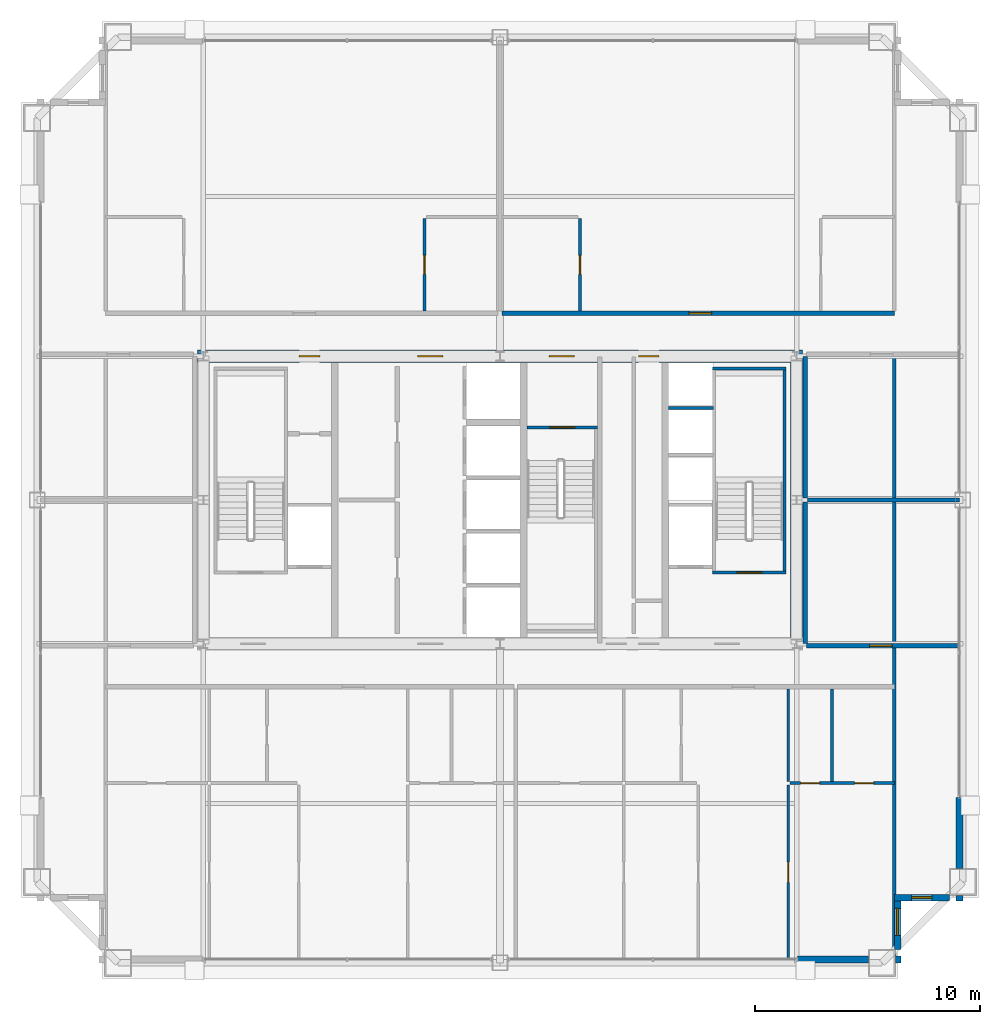
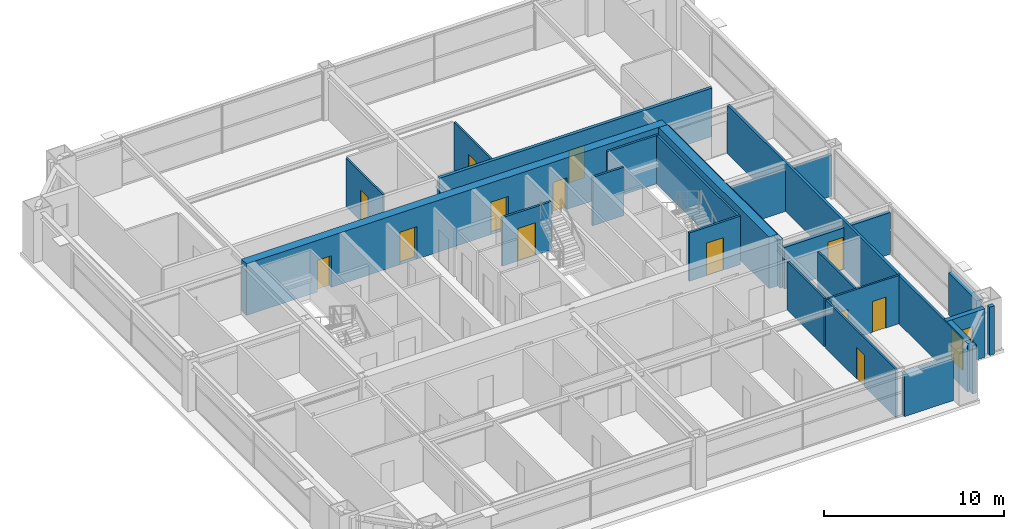
# One storey, part 34 of 36: 25 walls, 13 doors, 2 windows, 15 openings.
"""IFC4 building model written with IfcOpenShell, lengths in metres."""

from ifc_helpers import new_model, si_unit, direction, frame, frame_2d, origin, place, context, subcontext, project, spatial, rectangle, extrude, source, transform, mapped, material, layer, layer_set, type_object, element, fill, save


model = new_model("IFC4")

# Units and contexts
model_context = context("Model", 3, precision=1e-05, world=origin(), true_north=direction((0.0, 1.0)))
body_context = subcontext(model_context, "Body", "Model", "MODEL_VIEW")
ifc_project = project(units=[si_unit("LENGTHUNIT", "METRE"), si_unit("AREAUNIT", "SQUARE_METRE"), si_unit("VOLUMEUNIT", "CUBIC_METRE"), si_unit("PLANEANGLEUNIT", "RADIAN"), si_unit("MASSUNIT", "GRAM", prefix="KILO"), si_unit("THERMODYNAMICTEMPERATUREUNIT", "KELVIN"), si_unit("POWERUNIT", "WATT")], contexts=[model_context])

# Site, building, storey
site_placement = place(None, origin())
site = spatial("IfcSite", under=ifc_project, at=site_placement, CompositionType="ELEMENT")
building_placement = place(site_placement, origin())
building = spatial("IfcBuilding", under=site, at=building_placement, Name="Yuzanri Waterfront Tower", CompositionType="ELEMENT")
storey_placement = place(building_placement, frame((0.0, 0.0, 231.10009765625)))
storey = spatial("IfcBuildingStorey", under=building, at=storey_placement, Name="L61", CompositionType="ELEMENT", Elevation=231.10009765625)

# Wall, openings, doors
ifc_material_1 = material(Name="Moisture-Resistant Gypsum Stud Wall", Category="gypsum")
ifc_layer_1 = layer(ifc_material_1, 0.1201171875)
ifc_layer_set_1 = layer_set([ifc_layer_1], Name="Moisture-Resistant Gypsum Stud Wall")
wall_type_1 = type_object("IfcWallType", Name="Bathroom and Kitchen Wet Partition 120", PredefinedType="PARTITIONING", material=ifc_layer_set_1)
wall_1_placement = place(storey_placement, frame((49.9130859375, 13.199951171875, 0.0), z_axis=(0.0, 0.0, 1.0), x_axis=(1.0, 0.0, 0.0)))
wall_1 = element("IfcWall", 1, at=wall_1_placement, inside=storey, type_object=wall_type_1, Name="L61 Partition UW-L61-RS2-SUB-6-N", PredefinedType="PARTITIONING", context=body_context, shape_type="SweptSolid", body=[
    extrude(rectangle(XDim=4.64697265625, YDim=0.1201171875, at=frame_2d((2.323486328125, 0.0))), origin(), (0.0, 0.0, 1.0), 3.27978515625),
])
opening_1_placement = place(wall_1_placement, frame((2.8720703125, 0.0, 0.0)))
opening_1 = element("IfcOpeningElement", 2, at=opening_1_placement, cuts=wall_1, Name="Opening ID-0850", PredefinedType="OPENING", context=body_context, shape_type="SweptSolid", body=[
    extrude(rectangle(XDim=0.85009765625, YDim=2.10009765625, at=frame_2d((0.425048828125, 1.050048828125))), frame((0.0, 0.074951171875, 0.0), z_axis=(0.0, -1.0, 0.0), x_axis=(1.0, 0.0, 0.0)), (0.0, 0.0, 1.0), 0.14990234375),
])
opening_2_placement = place(wall_1_placement, frame((0.468505859375, 0.0, 0.0)))
opening_2 = element("IfcOpeningElement", 3, at=opening_2_placement, cuts=wall_1, Name="Opening ID-0850", PredefinedType="OPENING", context=body_context, shape_type="SweptSolid", body=[
    extrude(rectangle(XDim=0.85009765625, YDim=2.10009765625, at=frame_2d((0.425048828125, 1.050048828125))), frame((0.0, 0.074951171875, 0.0), z_axis=(0.0, -1.0, 0.0), x_axis=(1.0, 0.0, 0.0)), (0.0, 0.0, 1.0), 0.14990234375),
])
ifc_material_2 = material(Name="Moisture-Resistant Lacquered Timber", Category="wood")
door_type_1 = type_object("IfcDoorType", Name="En-Suite Bathroom and Kitchen Swing Door 850x2100", OperationType="NOTDEFINED", PredefinedType="DOOR", material=ifc_material_2)
shared_shape_1 = source(origin(), body_context, "Body", "SweptSolid", [
    extrude(rectangle(XDim=0.85009765625, YDim=2.10009765625, at=frame_2d((0.425048828125, 1.050048828125))), frame((0.0, 0.02490234375, 0.0), z_axis=(0.0, -1.0, 0.0), x_axis=(1.0, 0.0, 0.0)), (0.0, 0.0, 1.0), 0.050048828125),
])
door_1_placement = place(opening_1_placement, origin())
door_1 = element("IfcDoor", 4, at=door_1_placement, inside=storey, type_object=door_type_1, Name="L61 Suite Interior Room Door", OperationType="SINGLE_SWING_LEFT", OverallHeight=2.10009765625, OverallWidth=0.85009765625, PredefinedType="DOOR", context=body_context, shape_type="MappedRepresentation", body=[
    mapped(shared_shape_1, transform((0.0, 0.0, 0.0), scale=1.0)),
])
fill(opening_1, door_1)
door_2_placement = place(opening_2_placement, origin())
door_2 = element("IfcDoor", 5, at=door_2_placement, inside=storey, type_object=door_type_1, Name="L61 Suite Interior Room Door", OperationType="SINGLE_SWING_RIGHT", OverallHeight=2.10009765625, OverallWidth=0.85009765625, PredefinedType="DOOR", context=body_context, shape_type="MappedRepresentation", body=[
    mapped(shared_shape_1, transform((0.0, 0.0, 0.0), scale=1.0)),
])
fill(opening_2, door_2)

# Wall, opening, door
wall_2_placement = place(storey_placement, frame((49.8330078125, 5.35009765625, 0.0), z_axis=(0.0, 0.0, 1.0), x_axis=(0.0, 1.0, 0.0)))
wall_2 = element("IfcWall", 6, at=wall_2_placement, inside=storey, type_object=wall_type_1, Name="L61 Partition UW-L61-RS2-SUB-6-W", PredefinedType="PARTITIONING", context=body_context, shape_type="SweptSolid", body=[
    extrude(rectangle(XDim=7.77001953125, YDim=0.1201171875, at=frame_2d((3.885009765625, 0.0))), origin(), (0.0, 0.0, 1.0), 3.27978515625),
])
opening_3_placement = place(wall_2_placement, frame((3.43505859375, 0.0, 0.0)))
opening_3 = element("IfcOpeningElement", 7, at=opening_3_placement, cuts=wall_2, Name="Opening ID-0900", PredefinedType="OPENING", context=body_context, shape_type="SweptSolid", body=[
    extrude(rectangle(XDim=0.89990234375, YDim=2.14990234375, at=frame_2d((0.449951171875, 1.074951171875))), frame((0.0, 0.074951171875, 0.0), z_axis=(0.0, -1.0, 0.0), x_axis=(1.0, 0.0, 0.0)), (0.0, 0.0, 1.0), 0.14990234375),
])
ifc_material_3 = material(Name="Stained Walnut Veneer Timber", Category="wood")
door_type_2 = type_object("IfcDoorType", Name="Bedroom and Study Interior Swing Door 900x2150", OperationType="NOTDEFINED", PredefinedType="DOOR", material=ifc_material_3)
shared_shape_2 = source(origin(), body_context, "Body", "SweptSolid", [
    extrude(rectangle(XDim=0.89990234375, YDim=2.14990234375, at=frame_2d((0.449951171875, 1.074951171875))), frame((0.0, 0.02490234375, 0.0), z_axis=(0.0, -1.0, 0.0), x_axis=(1.0, 0.0, 0.0)), (0.0, 0.0, 1.0), 0.050048828125),
])
door_3_placement = place(opening_3_placement, origin())
door_3 = element("IfcDoor", 8, at=door_3_placement, inside=storey, type_object=door_type_2, Name="L61 Suite Interior Room Door", OperationType="SINGLE_SWING_RIGHT", OverallHeight=2.14990234375, OverallWidth=0.89990234375, PredefinedType="DOOR", context=body_context, shape_type="MappedRepresentation", body=[
    mapped(shared_shape_2, transform((0.0, 0.0, 0.0), scale=1.0)),
])
fill(opening_3, door_3)

wall_3_placement = place(storey_placement, frame((33.639892578125, 34.2099609375, 0.0), z_axis=(0.0, 0.0, 1.0), x_axis=(0.0, 1.0, 0.0)))
wall_3 = element("IfcWall", 9, at=wall_3_placement, inside=storey, type_object=wall_type_1, Name="L61 Partition UW-L61-RN1-SUB-2-W", PredefinedType="PARTITIONING", context=body_context, shape_type="SweptSolid", body=[
    extrude(rectangle(XDim=4.110107421875, YDim=0.1201171875, at=frame_2d((2.05517578125, 0.0))), origin(), (0.0, 0.0, 1.0), 3.27978515625),
])
opening_4_placement = place(wall_3_placement, frame((1.6298828125, 0.0, 0.0)))
opening_4 = element("IfcOpeningElement", 10, at=opening_4_placement, cuts=wall_3, Name="Opening ID-0850", PredefinedType="OPENING", context=body_context, shape_type="SweptSolid", body=[
    extrude(rectangle(XDim=0.85009765625, YDim=2.10009765625, at=frame_2d((0.425048828125, 1.050048828125))), frame((0.0, 0.074951171875, 0.0), z_axis=(0.0, -1.0, 0.0), x_axis=(1.0, 0.0, 0.0)), (0.0, 0.0, 1.0), 0.14990234375),
])
door_4_placement = place(opening_4_placement, origin())
door_4 = element("IfcDoor", 11, at=door_4_placement, inside=storey, type_object=door_type_1, Name="L61 Suite Interior Room Door", OperationType="SINGLE_SWING_RIGHT", OverallHeight=2.10009765625, OverallWidth=0.85009765625, PredefinedType="DOOR", context=body_context, shape_type="MappedRepresentation", body=[
    mapped(shared_shape_1, transform((0.0, 0.0, 0.0), scale=1.0)),
])
fill(opening_4, door_4)

wall_4_placement = place(storey_placement, frame((40.56005859375, 34.2099609375, 0.0), z_axis=(0.0, 0.0, 1.0), x_axis=(0.0, 1.0, 0.0)))
wall_4 = element("IfcWall", 12, at=wall_4_placement, inside=storey, type_object=wall_type_1, Name="L61 Partition UW-L61-RN2-SUB-1-E", PredefinedType="PARTITIONING", context=body_context, shape_type="SweptSolid", body=[
    extrude(rectangle(XDim=4.110107421875, YDim=0.1201171875, at=frame_2d((2.05517578125, 0.0))), origin(), (0.0, 0.0, 1.0), 3.27978515625),
])
opening_5_placement = place(wall_4_placement, frame((1.6298828125, 0.0, 0.0)))
opening_5 = element("IfcOpeningElement", 13, at=opening_5_placement, cuts=wall_4, Name="Opening ID-0850", PredefinedType="OPENING", context=body_context, shape_type="SweptSolid", body=[
    extrude(rectangle(XDim=0.85009765625, YDim=2.10009765625, at=frame_2d((0.425048828125, 1.050048828125))), frame((0.0, 0.074951171875, 0.0), z_axis=(0.0, -1.0, 0.0), x_axis=(1.0, 0.0, 0.0)), (0.0, 0.0, 1.0), 0.14990234375),
])
door_5_placement = place(opening_5_placement, origin())
door_5 = element("IfcDoor", 14, at=door_5_placement, inside=storey, type_object=door_type_1, Name="L61 Suite Interior Room Door", OperationType="SINGLE_SWING_RIGHT", OverallHeight=2.10009765625, OverallWidth=0.85009765625, PredefinedType="DOOR", context=body_context, shape_type="MappedRepresentation", body=[
    mapped(shared_shape_1, transform((0.0, 0.0, 0.0), scale=1.0)),
])
fill(opening_5, door_5)

# Wall, opening, window
ifc_material_4 = material(Name="Honed Chongqing Dark Basalt Stone", Category="masonry")
ifc_layer_2 = layer(ifc_material_4, 0.300048828125)
ifc_layer_set_2 = layer_set([ifc_layer_2], Name="Honed Chongqing Dark Basalt Stone")
wall_type_2 = type_object("IfcWallType", Name="Bronze Rainscreen Insulated Spandrel Portal Wall 300", PredefinedType="SOLIDWALL", material=ifc_layer_set_2)
wall_5_placement = place(storey_placement, frame((54.550048828125, 8.10009765625, 0.0), z_axis=(0.0, 0.0, 1.0), x_axis=(1.0, 0.0, 0.0)))
wall_5 = element("IfcWall", 15, at=wall_5_placement, inside=storey, type_object=wall_type_2, Name="L61 Notched Corner Masonry Wall SE-X", PredefinedType="SOLIDWALL", context=body_context, shape_type="SweptSolid", body=[
    extrude(rectangle(XDim=2.449951171875, YDim=0.300048828125, at=frame_2d((1.22509765625, 0.0))), origin(), (0.0, 0.0, 1.0), 3.27978515625),
])
opening_6_placement = place(wall_5_placement, frame((0.77490234375, 0.0, 0.85009765625)))
opening_6 = element("IfcOpeningElement", 16, at=opening_6_placement, cuts=wall_5, Name="Opening WN-05", PredefinedType="OPENING", context=body_context, shape_type="SweptSolid", body=[
    extrude(rectangle(XDim=0.89990234375, YDim=1.5, at=frame_2d((0.449951171875, 0.75))), frame((0.0, 0.1650390625, 0.0), z_axis=(0.0, -1.0, 0.0), x_axis=(1.0, 0.0, 0.0)), (0.0, 0.0, 1.0), 0.329833984375),
])
ifc_material_5 = material(Name="Double-Silver Low-E Insulated Glass", Category="glass")
window_type_1 = type_object("IfcWindowType", Name="Anodized Bronze Service and Stairwell Smoke-Vent Window 900x1500", PartitioningType="SINGLE_PANEL", PredefinedType="WINDOW", material=ifc_material_5)
shared_shape_3 = source(origin(), body_context, "Body", "SweptSolid", [
    extrude(rectangle(XDim=0.89990234375, YDim=1.5, at=frame_2d((0.449951171875, 0.75))), frame((0.0, 0.030029296875, 0.0), z_axis=(0.0, -1.0, 0.0), x_axis=(1.0, 0.0, 0.0)), (0.0, 0.0, 1.0), 0.06005859375),
])
window_1_placement = place(opening_6_placement, origin())
window_1 = element("IfcWindow", 17, at=window_1_placement, inside=storey, type_object=window_type_1, Name="L61 Notched Corner Window SE-X", OverallHeight=1.5, OverallWidth=0.89990234375, PartitioningType="SINGLE_PANEL", PredefinedType="WINDOW", context=body_context, shape_type="MappedRepresentation", body=[
    mapped(shared_shape_3, transform((0.0, 0.0, 0.0), scale=1.0)),
])
fill(opening_6, window_1)

wall_6_placement = place(storey_placement, frame((54.699951171875, 5.800048828125, 0.0), z_axis=(0.0, 0.0, 1.0), x_axis=(0.0, 1.0, 0.0)))
wall_6 = element("IfcWall", 18, at=wall_6_placement, inside=storey, type_object=wall_type_2, Name="L61 Notched Corner Masonry Wall SE-Y", PredefinedType="SOLIDWALL", context=body_context, shape_type="SweptSolid", body=[
    extrude(rectangle(XDim=2.449951171875, YDim=0.300048828125, at=frame_2d((1.22509765625, 0.0))), origin(), (0.0, 0.0, 1.0), 3.27978515625),
])
opening_7_placement = place(wall_6_placement, frame((0.625, 0.0, 0.85009765625)))
opening_7 = element("IfcOpeningElement", 19, at=opening_7_placement, cuts=wall_6, Name="Opening WN-02", PredefinedType="OPENING", context=body_context, shape_type="SweptSolid", body=[
    extrude(rectangle(XDim=1.199951171875, YDim=2.10009765625, at=frame_2d((0.60009765625, 1.050048828125))), frame((0.0, 0.1650390625, 0.0), z_axis=(0.0, -1.0, 0.0), x_axis=(1.0, 0.0, 0.0)), (0.0, 0.0, 1.0), 0.329833984375),
])
ifc_material_6 = material(Name="Double-Silver Low-E Insulated Glass", Category="glass")
window_type_2 = type_object("IfcWindowType", Name="Anodized Bronze Notched Corner Deep-Set Slot Window 1200x2100", PartitioningType="SINGLE_PANEL", PredefinedType="WINDOW", material=ifc_material_6)
shared_shape_4 = source(origin(), body_context, "Body", "SweptSolid", [
    extrude(rectangle(XDim=1.199951171875, YDim=2.10009765625, at=frame_2d((0.60009765625, 1.050048828125))), frame((0.0, 0.030029296875, 0.0), z_axis=(0.0, -1.0, 0.0), x_axis=(1.0, 0.0, 0.0)), (0.0, 0.0, 1.0), 0.06005859375),
])
window_2_placement = place(opening_7_placement, origin())
window_2 = element("IfcWindow", 20, at=window_2_placement, inside=storey, type_object=window_type_2, Name="L61 Notched Corner Window SE-Y", OverallHeight=2.10009765625, OverallWidth=1.199951171875, PartitioningType="SINGLE_PANEL", PredefinedType="WINDOW", context=body_context, shape_type="MappedRepresentation", body=[
    mapped(shared_shape_4, transform((0.0, 0.0, 0.0), scale=1.0)),
])
fill(opening_7, window_2)

# Wall, openings, doors
ifc_material_7 = material(Name="Concrete C50", Category="concrete")
ifc_layer_3 = layer(ifc_material_7, 0.550048828125)
ifc_layer_set_3 = layer_set([ifc_layer_3], Name="Concrete C50")
wall_type_3 = type_object("IfcWallType", Name="Concrete C50 Upper-Mid Zone Core Shear Wall 550", PredefinedType="SHEAR", material=ifc_layer_set_3)
wall_7_placement = place(storey_placement, frame((23.52490234375, 32.199951171875, 0.0), z_axis=(0.0, 0.0, 1.0), x_axis=(1.0, 0.0, 0.0)))
wall_7 = element("IfcWall", 21, at=wall_7_placement, inside=storey, type_object=wall_type_3, Name="L61 Core North Shear Wall", PredefinedType="SHEAR", context=body_context, shape_type="SweptSolid", body=[
    extrude(rectangle(XDim=26.9501953125, YDim=0.550048828125, at=frame_2d((13.47509765625, 0.0))), origin(), (0.0, 0.0, 1.0), 3.5),
])
opening_8_placement = place(wall_7_placement, frame((4.544921875, 0.0, 0.0)))
opening_8 = element("IfcOpeningElement", 22, at=opening_8_placement, cuts=wall_7, Name="Opening FD-0900", PredefinedType="OPENING", context=body_context, shape_type="SweptSolid", body=[
    extrude(rectangle(XDim=0.89990234375, YDim=2.14990234375, at=frame_2d((0.449951171875, 1.074951171875))), frame((0.0, 0.2900390625, 0.0), z_axis=(0.0, -1.0, 0.0), x_axis=(1.0, 0.0, 0.0)), (0.0, 0.0, 1.0), 0.579833984375),
])
opening_9_placement = place(wall_7_placement, frame((9.824951171875, 0.0, 0.0)))
opening_9 = element("IfcOpeningElement", 23, at=opening_9_placement, cuts=wall_7, Name="Opening FD-1100", PredefinedType="OPENING", context=body_context, shape_type="SweptSolid", body=[
    extrude(rectangle(XDim=1.10009765625, YDim=2.199951171875, at=frame_2d((0.550048828125, 1.10009765625))), frame((0.0, 0.2900390625, 0.0), z_axis=(0.0, -1.0, 0.0), x_axis=(1.0, 0.0, 0.0)), (0.0, 0.0, 1.0), 0.579833984375),
])
opening_10_placement = place(wall_7_placement, frame((15.675048828125, 0.0, 0.0)))
opening_10 = element("IfcOpeningElement", 24, at=opening_10_placement, cuts=wall_7, Name="Opening FD-1100", PredefinedType="OPENING", context=body_context, shape_type="SweptSolid", body=[
    extrude(rectangle(XDim=1.10009765625, YDim=2.199951171875, at=frame_2d((0.550048828125, 1.10009765625))), frame((0.0, 0.2900390625, 0.0), z_axis=(0.0, -1.0, 0.0), x_axis=(1.0, 0.0, 0.0)), (0.0, 0.0, 1.0), 0.579833984375),
])
opening_11_placement = place(wall_7_placement, frame((19.64501953125, 0.0, 0.0)))
opening_11 = element("IfcOpeningElement", 25, at=opening_11_placement, cuts=wall_7, Name="Opening FD-0900", PredefinedType="OPENING", context=body_context, shape_type="SweptSolid", body=[
    extrude(rectangle(XDim=0.89990234375, YDim=2.14990234375, at=frame_2d((0.449951171875, 1.074951171875))), frame((0.0, 0.2900390625, 0.0), z_axis=(0.0, -1.0, 0.0), x_axis=(1.0, 0.0, 0.0)), (0.0, 0.0, 1.0), 0.579833984375),
])
ifc_material_8 = material(Name="Painted Galvanized Fire Steel", Category="steel")
door_type_3 = type_object("IfcDoorType", Name="Smoke-Proof Stair and Lobby Fire Door 1100x2200", OperationType="NOTDEFINED", PredefinedType="DOOR", material=ifc_material_8)
shared_shape_5 = source(origin(), body_context, "Body", "SweptSolid", [
    extrude(rectangle(XDim=1.10009765625, YDim=2.199951171875, at=frame_2d((0.550048828125, 1.10009765625))), frame((0.0, 0.02490234375, 0.0), z_axis=(0.0, -1.0, 0.0), x_axis=(1.0, 0.0, 0.0)), (0.0, 0.0, 1.0), 0.050048828125),
])
door_6_placement = place(opening_9_placement, origin())
door_6 = element("IfcDoor", 26, at=door_6_placement, inside=storey, type_object=door_type_3, Name="L61 Central Lift Lobby North Door", OperationType="SINGLE_SWING_RIGHT", OverallHeight=2.199951171875, OverallWidth=1.10009765625, PredefinedType="DOOR", context=body_context, shape_type="MappedRepresentation", body=[
    mapped(shared_shape_5, transform((0.0, 0.0, 0.0), scale=1.0)),
])
fill(opening_9, door_6)
door_7_placement = place(opening_10_placement, origin())
door_7 = element("IfcDoor", 27, at=door_7_placement, inside=storey, type_object=door_type_3, Name="L61 North Stair Lobby Door", OperationType="SINGLE_SWING_LEFT", OverallHeight=2.199951171875, OverallWidth=1.10009765625, PredefinedType="DOOR", context=body_context, shape_type="MappedRepresentation", body=[
    mapped(shared_shape_5, transform((0.0, 0.0, 0.0), scale=1.0)),
])
fill(opening_10, door_7)
ifc_material_9 = material(Name="Painted Galvanized Fire Steel", Category="steel")
door_type_4 = type_object("IfcDoorType", Name="Riser and Service Room Fire Door 900x2150", OperationType="NOTDEFINED", PredefinedType="DOOR", material=ifc_material_9)
shared_shape_6 = source(origin(), body_context, "Body", "SweptSolid", [
    extrude(rectangle(XDim=0.89990234375, YDim=2.14990234375, at=frame_2d((0.449951171875, 1.074951171875))), frame((0.0, 0.02490234375, 0.0), z_axis=(0.0, -1.0, 0.0), x_axis=(1.0, 0.0, 0.0)), (0.0, 0.0, 1.0), 0.050048828125),
])
door_8_placement = place(opening_8_placement, origin())
door_8 = element("IfcDoor", 28, at=door_8_placement, inside=storey, type_object=door_type_4, Name="L61 Telecom Riser Door", OperationType="SINGLE_SWING_LEFT", OverallHeight=2.14990234375, OverallWidth=0.89990234375, PredefinedType="DOOR", context=body_context, shape_type="MappedRepresentation", body=[
    mapped(shared_shape_6, transform((0.0, 0.0, 0.0), scale=1.0)),
])
fill(opening_8, door_8)
door_9_placement = place(opening_11_placement, origin())
door_9 = element("IfcDoor", 29, at=door_9_placement, inside=storey, type_object=door_type_4, Name="L61 Linen Store Room", OperationType="SINGLE_SWING_LEFT", OverallHeight=2.14990234375, OverallWidth=0.89990234375, PredefinedType="DOOR", context=body_context, shape_type="MappedRepresentation", body=[
    mapped(shared_shape_6, transform((0.0, 0.0, 0.0), scale=1.0)),
])
fill(opening_11, door_9)

# Wall, opening, door
ifc_material_10 = material(Name="Concrete C40", Category="concrete")
ifc_layer_4 = layer(ifc_material_10, 0.139892578125)
ifc_layer_set_4 = layer_set([ifc_layer_4], Name="Concrete C40")
wall_type_4 = type_object("IfcWallType", Name="Core Stair Liner and Hoistway Shaft Wall 140", PredefinedType="SOLIDWALL", material=ifc_layer_set_4)
wall_8_placement = place(storey_placement, frame((46.4599609375, 22.570068359375, 0.0), z_axis=(0.0, 0.0, 1.0), x_axis=(1.0, 0.0, 0.0)))
wall_8 = element("IfcWall", 30, at=wall_8_placement, inside=storey, type_object=wall_type_4, Name="L61 Shaft Wall STW-L61-ST-02-S", PredefinedType="SOLIDWALL", context=body_context, shape_type="SweptSolid", body=[
    extrude(rectangle(XDim=3.280029296875, YDim=0.139892578125, at=frame_2d((1.64013671875, 0.0))), origin(), (0.0, 0.0, 1.0), 3.27978515625),
])
opening_12_placement = place(wall_8_placement, frame((1.090087890625, 0.0, 0.0)))
opening_12 = element("IfcOpeningElement", 31, at=opening_12_placement, cuts=wall_8, Name="Opening FD-1100", PredefinedType="OPENING", context=body_context, shape_type="SweptSolid", body=[
    extrude(rectangle(XDim=1.10009765625, YDim=2.199951171875, at=frame_2d((0.550048828125, 1.10009765625))), frame((0.0, 0.0849609375, 0.0), z_axis=(0.0, -1.0, 0.0), x_axis=(1.0, 0.0, 0.0)), (0.0, 0.0, 1.0), 0.169677734375),
])
door_10_placement = place(opening_12_placement, origin())
door_10 = element("IfcDoor", 32, at=door_10_placement, inside=storey, type_object=door_type_3, Name="L61 Stair ST-02 Fire Door", OperationType="SINGLE_SWING_RIGHT", OverallHeight=2.199951171875, OverallWidth=1.10009765625, PredefinedType="DOOR", context=body_context, shape_type="MappedRepresentation", body=[
    mapped(shared_shape_5, transform((0.0, 0.0, 0.0), scale=1.0)),
])
fill(opening_12, door_10)

wall_9_placement = place(storey_placement, frame((38.199951171875, 29.030029296875, 0.0), z_axis=(0.0, 0.0, 1.0), x_axis=(1.0, 0.0, 0.0)))
wall_9 = element("IfcWall", 33, at=wall_9_placement, inside=storey, type_object=wall_type_4, Name="L61 Shaft Wall STW-L61-ST-03-N", PredefinedType="SOLIDWALL", context=body_context, shape_type="SweptSolid", body=[
    extrude(rectangle(XDim=3.14013671875, YDim=0.139892578125, at=frame_2d((1.570068359375, 0.0))), origin(), (0.0, 0.0, 1.0), 3.27978515625),
])
opening_13_placement = place(wall_9_placement, frame((1.02001953125, 0.0, 0.0)))
opening_13 = element("IfcOpeningElement", 34, at=opening_13_placement, cuts=wall_9, Name="Opening FD-1100", PredefinedType="OPENING", context=body_context, shape_type="SweptSolid", body=[
    extrude(rectangle(XDim=1.10009765625, YDim=2.199951171875, at=frame_2d((0.550048828125, 1.10009765625))), frame((0.0, 0.0849609375, 0.0), z_axis=(0.0, -1.0, 0.0), x_axis=(1.0, 0.0, 0.0)), (0.0, 0.0, 1.0), 0.169677734375),
])
door_11_placement = place(opening_13_placement, origin())
door_11 = element("IfcDoor", 35, at=door_11_placement, inside=storey, type_object=door_type_3, Name="L61 Stair ST-03 Fire Door", OperationType="SINGLE_SWING_LEFT", OverallHeight=2.199951171875, OverallWidth=1.10009765625, PredefinedType="DOOR", context=body_context, shape_type="MappedRepresentation", body=[
    mapped(shared_shape_5, transform((0.0, 0.0, 0.0), scale=1.0)),
])
fill(opening_13, door_11)

ifc_material_11 = material(Name="Autoclaved Aerated Concrete Blockwork", Category="masonry")
ifc_layer_5 = layer(ifc_material_11, 0.199951171875)
ifc_layer_set_5 = layer_set([ifc_layer_5], Name="Autoclaved Aerated Concrete Blockwork")
wall_type_5 = type_object("IfcWallType", Name="Corridor and Unit Party Fire Wall 200", PredefinedType="PARTITIONING", material=ifc_layer_set_5)
wall_10_placement = place(storey_placement, frame((37.080078125, 34.110107421875, 0.0), z_axis=(0.0, 0.0, 1.0), x_axis=(1.0, 0.0, 0.0)))
wall_10 = element("IfcWall", 36, at=wall_10_placement, inside=storey, type_object=wall_type_5, Name="L61 Partition UW-L61-RN2-CS", PredefinedType="PARTITIONING", context=body_context, shape_type="SweptSolid", body=[
    extrude(rectangle(XDim=17.47998046875, YDim=0.199951171875, at=frame_2d((8.739990234375, 0.0))), origin(), (0.0, 0.0, 1.0), 3.27978515625),
])
opening_14_placement = place(wall_10_placement, frame((8.340087890625, 0.0, 0.0)))
opening_14 = element("IfcOpeningElement", 37, at=opening_14_placement, cuts=wall_10, Name="Opening FD-1000", PredefinedType="OPENING", context=body_context, shape_type="SweptSolid", body=[
    extrude(rectangle(XDim=1.0, YDim=2.199951171875, at=frame_2d((0.5, 1.10009765625))), frame((0.0, 0.11474609375, 0.0), z_axis=(0.0, -1.0, 0.0), x_axis=(1.0, 0.0, 0.0)), (0.0, 0.0, 1.0), 0.229736328125),
])
ifc_material_12 = material(Name="Engineered Oak Fire-Rated Timber", Category="wood")
door_type_5 = type_object("IfcDoorType", Name="Guestroom and Apartment Entrance Fire Door 1000x2200", OperationType="NOTDEFINED", PredefinedType="DOOR", material=ifc_material_12)
shared_shape_7 = source(origin(), body_context, "Body", "SweptSolid", [
    extrude(rectangle(XDim=1.0, YDim=2.199951171875, at=frame_2d((0.5, 1.10009765625))), frame((0.0, 0.02490234375, 0.0), z_axis=(0.0, -1.0, 0.0), x_axis=(1.0, 0.0, 0.0)), (0.0, 0.0, 1.0), 0.050048828125),
])
door_12_placement = place(opening_14_placement, origin())
door_12 = element("IfcDoor", 38, at=door_12_placement, inside=storey, type_object=door_type_5, Name="L61 Studio Living and Sleeping Room Entrance Door", OperationType="SINGLE_SWING_LEFT", OverallHeight=2.199951171875, OverallWidth=1.0, PredefinedType="DOOR", context=body_context, shape_type="MappedRepresentation", body=[
    mapped(shared_shape_7, transform((0.0, 0.0, 0.0), scale=1.0)),
])
fill(opening_14, door_12)

wall_11_placement = place(storey_placement, frame((50.64990234375, 19.31005859375, 0.0), z_axis=(0.0, 0.0, 1.0), x_axis=(1.0, 0.0, 0.0)))
wall_11 = element("IfcWall", 39, at=wall_11_placement, inside=storey, type_object=wall_type_5, Name="L61 Partition UW-L61-041-CS", PredefinedType="PARTITIONING", context=body_context, shape_type="SweptSolid", body=[
    extrude(rectangle(XDim=6.800048828125, YDim=0.199951171875, at=frame_2d((3.39990234375, 0.0))), origin(), (0.0, 0.0, 1.0), 2.824951171875),
])
opening_15_placement = place(wall_11_placement, frame((2.800048828125, 0.0, 0.0)))
opening_15 = element("IfcOpeningElement", 40, at=opening_15_placement, cuts=wall_11, Name="Opening FD-1000", PredefinedType="OPENING", context=body_context, shape_type="SweptSolid", body=[
    extrude(rectangle(XDim=1.0, YDim=2.199951171875, at=frame_2d((0.5, 1.10009765625))), frame((0.0, 0.11474609375, 0.0), z_axis=(0.0, -1.0, 0.0), x_axis=(1.0, 0.0, 0.0)), (0.0, 0.0, 1.0), 0.229736328125),
])
door_13_placement = place(opening_15_placement, origin())
door_13 = element("IfcDoor", 41, at=door_13_placement, inside=storey, type_object=door_type_5, Name="L61 Residents E Boardroom Meeting Room Entrance Door", OperationType="SINGLE_SWING_RIGHT", OverallHeight=2.199951171875, OverallWidth=1.0, PredefinedType="DOOR", context=body_context, shape_type="MappedRepresentation", body=[
    mapped(shared_shape_7, transform((0.0, 0.0, 0.0), scale=1.0)),
])
fill(opening_15, door_13)

# Walls
shared_shape_8 = source(origin(), body_context, "Body", "SweptSolid", [
    extrude(rectangle(XDim=12.25, YDim=0.550048828125, at=frame_2d((6.125, 0.0))), origin(), (0.0, 0.0, 1.0), 3.5),
])
wall_12_placement = place(storey_placement, frame((50.199951171875, 19.675048828125, 0.0), z_axis=(0.0, 0.0, 1.0), x_axis=(0.0, 1.0, 0.0)))
element("IfcWall", 42, at=wall_12_placement, inside=storey, type_object=wall_type_3, Name="L61 Core East Shear Wall", PredefinedType="SHEAR", context=body_context, shape_type="MappedRepresentation", body=[
    mapped(shared_shape_8, transform((0.0, 0.0, 0.0), scale=1.0)),
])
shared_shape_9 = source(origin(), body_context, "Body", "SweptSolid", [
    extrude(rectangle(XDim=0.25, YDim=0.300048828125, at=frame_2d((0.125, 0.0))), origin(), (0.0, 0.0, 1.0), 3.27978515625),
])
for number, where, z_axis, x_axis, name in (
    (43, (54.60009765625, 5.35009765625, 0.0), (0.0, 0.0, 1.0), (1.0, 0.0, 0.0), "L61 Corner Column Shoulder Return CSE"),
    (44, (57.449951171875, 7.949951171875, 0.0), (0.0, 0.0, 1.0), (0.0, 1.0, 0.0), "L61 Corner Column Shoulder Return CES"),
):
    element("IfcWall", number, at=place(storey_placement, frame(where, z_axis=z_axis, x_axis=x_axis)), inside=storey, type_object=wall_type_2, Name=name, PredefinedType="SOLIDWALL", context=body_context, shape_type="MappedRepresentation", body=[
        mapped(shared_shape_9, transform((0.0, 0.0, 0.0), scale=1.0)),
    ])
shared_shape_10 = source(origin(), body_context, "Body", "SweptSolid", [
    extrude(rectangle(XDim=3.14990234375, YDim=0.300048828125, at=frame_2d((1.574951171875, 0.0))), origin(), (0.0, 0.0, 1.0), 2.8349609375),
])
wall_13_placement = place(storey_placement, frame((50.25, 5.35009765625, 0.0), z_axis=(0.0, 0.0, 1.0), x_axis=(1.0, 0.0, 0.0)))
element("IfcWall", 45, at=wall_13_placement, inside=storey, type_object=wall_type_2, Name="L61 S Right Braced Masonry Shoulder", PredefinedType="SOLIDWALL", context=body_context, shape_type="MappedRepresentation", body=[
    mapped(shared_shape_10, transform((0.0, 0.0, 0.0), scale=1.0)),
])
shared_shape_11 = source(origin(), body_context, "Body", "SweptSolid", [
    extrude(rectangle(XDim=3.150146484375, YDim=0.300048828125, at=frame_2d((1.5751953125, 0.0))), origin(), (0.0, 0.0, 1.0), 2.8349609375),
])
wall_14_placement = place(storey_placement, frame((57.449951171875, 9.39990234375, 0.0), z_axis=(0.0, 0.0, 1.0), x_axis=(0.0, 1.0, 0.0)))
element("IfcWall", 46, at=wall_14_placement, inside=storey, type_object=wall_type_2, Name="L61 E Left Braced Masonry Shoulder", PredefinedType="SOLIDWALL", context=body_context, shape_type="MappedRepresentation", body=[
    mapped(shared_shape_11, transform((0.0, 0.0, 0.0), scale=1.0)),
])
shared_shape_12 = source(origin(), body_context, "Body", "SweptSolid", [
    extrude(rectangle(XDim=2.0, YDim=0.139892578125, at=frame_2d((1.0, 0.0))), origin(), (0.0, 0.0, 1.0), 3.27978515625),
])
wall_15_placement = place(storey_placement, frame((44.5, 29.89990234375, 0.0), z_axis=(0.0, 0.0, 1.0), x_axis=(1.0, 0.0, 0.0)))
element("IfcWall", 47, at=wall_15_placement, inside=storey, type_object=wall_type_4, Name="L61 Lift PL-10 Divider Wall", PredefinedType="SOLIDWALL", context=body_context, shape_type="MappedRepresentation", body=[
    mapped(shared_shape_12, transform((0.0, 0.0, 0.0), scale=1.0)),
])
shared_shape_13 = source(origin(), body_context, "Body", "SweptSolid", [
    extrude(rectangle(XDim=3.280029296875, YDim=0.139892578125, at=frame_2d((1.64013671875, 0.0))), origin(), (0.0, 0.0, 1.0), 3.27978515625),
])
wall_16_placement = place(storey_placement, frame((46.4599609375, 31.64990234375, 0.0), z_axis=(0.0, 0.0, 1.0), x_axis=(1.0, 0.0, 0.0)))
element("IfcWall", 48, at=wall_16_placement, inside=storey, type_object=wall_type_4, Name="L61 Stair ST-02 North Shaft Wall", PredefinedType="SOLIDWALL", context=body_context, shape_type="MappedRepresentation", body=[
    mapped(shared_shape_13, transform((0.0, 0.0, 0.0), scale=1.0)),
])
shared_shape_14 = source(origin(), body_context, "Body", "SweptSolid", [
    extrude(rectangle(XDim=8.940185546875, YDim=0.139892578125, at=frame_2d((4.47021484375, 0.0))), origin(), (0.0, 0.0, 1.0), 3.27978515625),
])
wall_17_placement = place(storey_placement, frame((49.669921875, 22.639892578125, 0.0), z_axis=(0.0, 0.0, 1.0), x_axis=(0.0, 1.0, 0.0)))
element("IfcWall", 49, at=wall_17_placement, inside=storey, type_object=wall_type_4, Name="L61 Stair ST-02 East Shaft Wall", PredefinedType="SOLIDWALL", context=body_context, shape_type="MappedRepresentation", body=[
    mapped(shared_shape_14, transform((0.0, 0.0, 0.0), scale=1.0)),
])
shared_shape_15 = source(origin(), body_context, "Body", "SweptSolid", [
    extrude(rectangle(XDim=4.10986328125, YDim=0.1201171875, at=frame_2d((2.054931640625, 0.0))), origin(), (0.0, 0.0, 1.0), 3.27978515625),
])
for number, where, z_axis, x_axis, name in (
    (50, (51.780029296875, 13.280029296875, 0.0), (0.0, 0.0, 1.0), (0.0, 1.0, 0.0), "L61 Partition UW-L61-RS2-SUB-3-W"),
    (51, (49.8330078125, 13.280029296875, 0.0), (0.0, 0.0, 1.0), (0.0, 1.0, 0.0), "L61 Partition UW-L61-RS2-SUB-4-W"),
):
    element("IfcWall", number, at=place(storey_placement, frame(where, z_axis=z_axis, x_axis=x_axis)), inside=storey, type_object=wall_type_1, Name=name, PredefinedType="PARTITIONING", context=body_context, shape_type="MappedRepresentation", body=[
        mapped(shared_shape_15, transform((0.0, 0.0, 0.0), scale=1.0)),
    ])
shared_shape_16 = source(origin(), body_context, "Body", "SweptSolid", [
    extrude(rectangle(XDim=6.764892578125, YDim=0.199951171875, at=frame_2d((3.38232421875, 0.0))), origin(), (0.0, 0.0, 1.0), 2.786865234375),
])
wall_18_placement = place(storey_placement, frame((50.68505859375, 25.800048828125, 0.0), z_axis=(0.0, 0.0, 1.0), x_axis=(1.0, 0.0, 0.0)))
element("IfcWall", 52, at=wall_18_placement, inside=storey, type_object=wall_type_5, Name="L61-041 Wing North Wall", PredefinedType="PARTITIONING", context=body_context, shape_type="MappedRepresentation", body=[
    mapped(shared_shape_16, transform((0.0, 0.0, 0.0), scale=1.0)),
])
shared_shape_17 = source(origin(), body_context, "Body", "SweptSolid", [
    extrude(rectangle(XDim=6.2900390625, YDim=0.199951171875, at=frame_2d((3.14501953125, 0.0))), origin(), (0.0, 0.0, 1.0), 3.27978515625),
])
for number, where, z_axis, x_axis, name in (
    (53, (50.580078125, 19.409912109375, 0.0), (0.0, 0.0, 1.0), (0.0, 1.0, 0.0), "L61-041 Wing Inner Core-Side Wall"),
    (54, (50.580078125, 25.89990234375, 0.0), (0.0, 0.0, 1.0), (0.0, 1.0, 0.0), "L61-042 Wing Inner Core-Side Wall"),
):
    element("IfcWall", number, at=place(storey_placement, frame(where, z_axis=z_axis, x_axis=x_axis)), inside=storey, type_object=wall_type_5, Name=name, PredefinedType="PARTITIONING", context=body_context, shape_type="MappedRepresentation", body=[
        mapped(shared_shape_17, transform((0.0, 0.0, 0.0), scale=1.0)),
    ])
ifc_material_13 = material(Name="Gypsum Fireboard Acoustic Stud Wall", Category="gypsum")
ifc_layer_6 = layer(ifc_material_13, 0.159912109375)
ifc_layer_set_6 = layer_set([ifc_layer_6], Name="Gypsum Fireboard Acoustic Stud Wall")
wall_type_6 = type_object("IfcWallType", Name="Acoustic Suite Demising Partition 160", PredefinedType="PARTITIONING", material=ifc_layer_set_6)
shared_shape_18 = source(origin(), body_context, "Body", "SweptSolid", [
    extrude(rectangle(XDim=26.68994140625, YDim=0.159912109375, at=frame_2d((13.344970703125, 0.0))), origin(), (0.0, 0.0, 1.0), 3.27978515625),
])
wall_19_placement = place(storey_placement, frame((54.550048828125, 5.5, 0.0), z_axis=(0.0, 0.0, 1.0), x_axis=(0.0, 1.0, 0.0)))
element("IfcWall", 55, at=wall_19_placement, inside=storey, type_object=wall_type_6, Name="L61 South Band East End Wall", PredefinedType="PARTITIONING", context=body_context, shape_type="MappedRepresentation", body=[
    mapped(shared_shape_18, transform((0.0, 0.0, 0.0), scale=1.0)),
])

save(model, "model.ifc")
